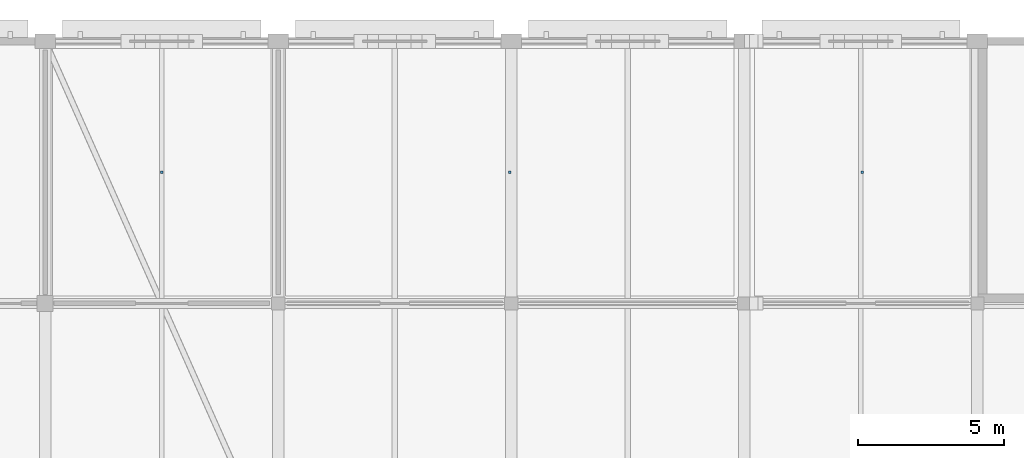
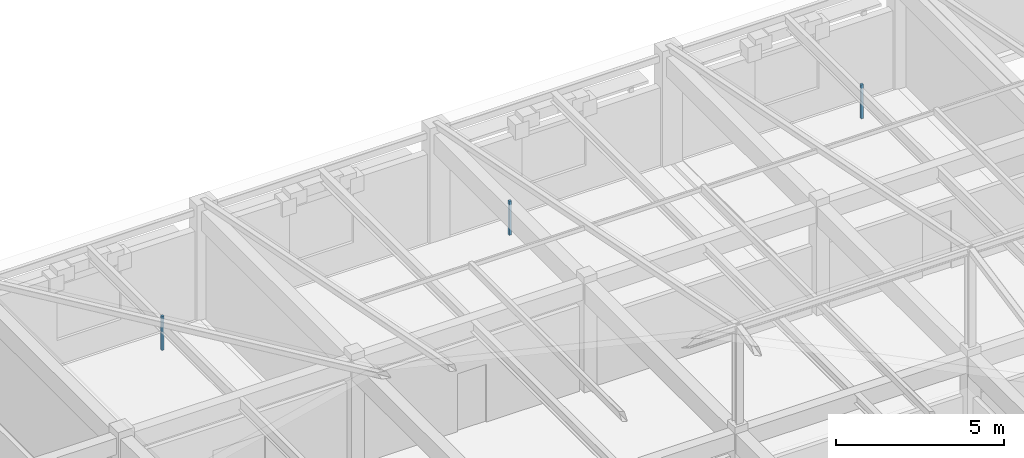
# One storey, part 117 of 126: 3 discrete accessories.
"""IFC4 building model written with IfcOpenShell, lengths in metres."""

from ifc_helpers import new_model, si_unit, direction, frame, origin, origin_2d, place, context, subcontext, project, spatial, rectangle, extrude, material, layer, layer_set, type_object, element, save


model = new_model("IFC4")

# Units and contexts
model_context = context("Model", 3, precision=1e-05, world=origin(), true_north=direction((0.0, 1.0)))
body_context = subcontext(model_context, "Body", "Model", "MODEL_VIEW")
ifc_project = project(units=[si_unit("LENGTHUNIT", "METRE"), si_unit("AREAUNIT", "SQUARE_METRE"), si_unit("VOLUMEUNIT", "CUBIC_METRE"), si_unit("PLANEANGLEUNIT", "RADIAN"), si_unit("MASSUNIT", "GRAM", prefix="KILO")], contexts=[model_context])

# Site, building, storey
site_placement = place(None, origin())
site = spatial("IfcSite", under=ifc_project, at=site_placement, CompositionType="ELEMENT")
building_placement = place(site_placement, origin())
building = spatial("IfcBuilding", under=site, at=building_placement, Name="Varnabhumi Central Station", CompositionType="ELEMENT")
storey_placement = place(building_placement, frame((0.0, 0.0, 16.199951171875)))
storey = spatial("IfcBuildingStorey", under=building, at=storey_placement, Name="L03", CompositionType="ELEMENT", Elevation=16.199951171875)

# Discrete accessories
ifc_material = material(Name="Structural steel E350", Category="steel")
ifc_layer = layer(ifc_material, 0.159912109375, Name="Structural steel E350", Category="steel")
ifc_layer_set = layer_set([ifc_layer], Name="Structural steel E350")
discrete_accessory_type = type_object("IfcDiscreteAccessoryType", Name="ACC-SHADE-BRKT", PredefinedType="BRACKET", material=ifc_layer_set)
for number, where, z_axis, x_axis, name in (
    (1, (100.0, 111.5, 2.840087890625), (0.0, 0.0, 1.0), (1.0, 0.0, 0.0), "Dining Gallery Preparation Pantry Ceiling Hanger"),
    (2, (111.949951171875, 111.5, 2.840087890625), (0.0, 0.0, 1.0), (1.0, 0.0, 0.0), "Station Commercial Administration Office Ceiling Hanger"),
    (3, (124.050048828125, 111.5, 2.840087890625), (0.0, 0.0, 1.0), (1.0, 0.0, 0.0), "Station Commercial Administration Office Ceiling Hanger"),
):
    element("IfcDiscreteAccessory", number, at=place(storey_placement, frame(where, z_axis=z_axis, x_axis=x_axis)), inside=storey, type_object=discrete_accessory_type, Name=name, PredefinedType="BRACKET", context=body_context, shape_type="SweptSolid", body=[
        extrude(rectangle(XDim=0.080078125, YDim=0.080078125, at=origin_2d()), origin(), (0.0, 0.0, 1.0), 1.22998046875),
    ])

save(model, "model.ifc")
